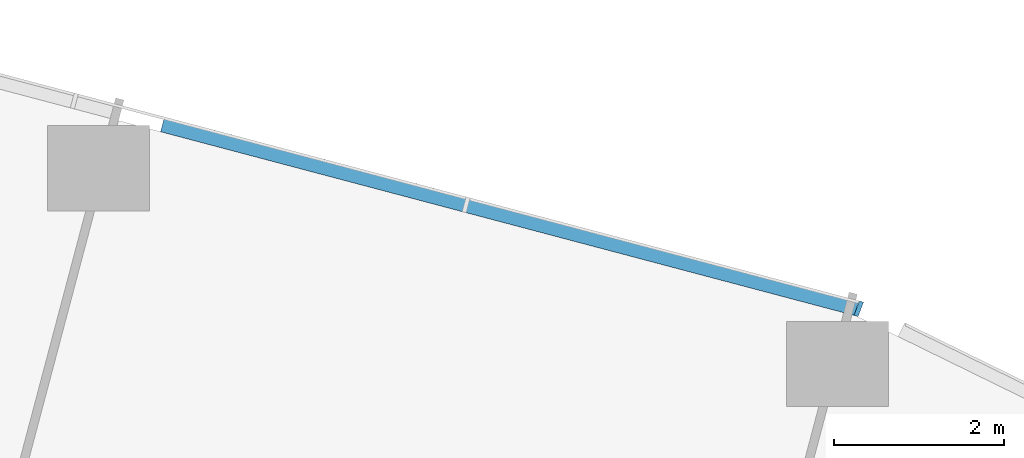
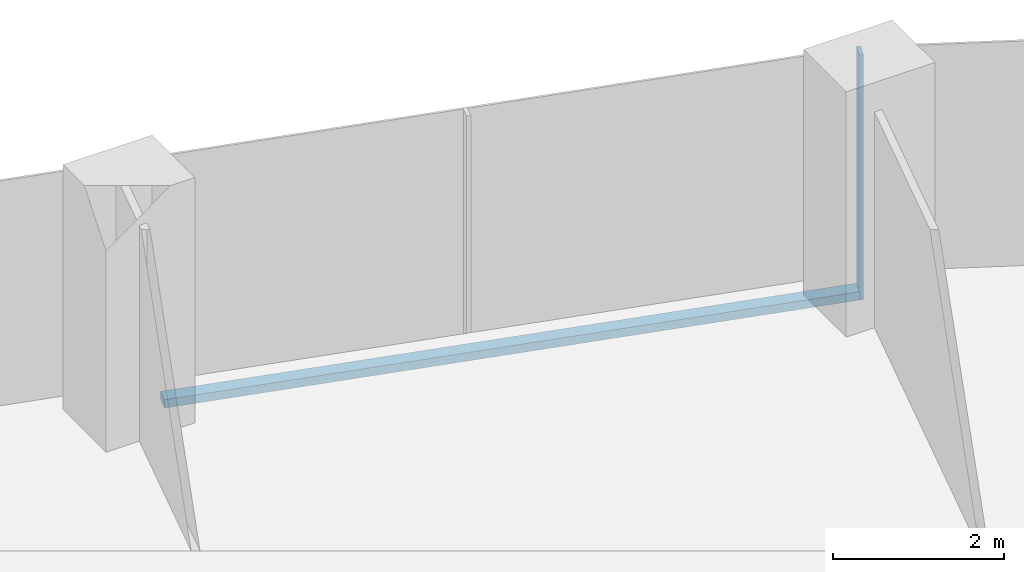
# One storey, part 15 of 34: 2 members, 2 elements without a shape of their own.
"""IFC4 building model written with IfcOpenShell, lengths in metres."""

from ifc_helpers import new_model, si_unit, direction, frame, origin, origin_2d, place, context, subcontext, project, spatial, rectangle, extrude, material, material_profile, profile_set, type_object, element, aggregate, save


model = new_model("IFC4")

# Units and contexts
model_context = context("Model", 3, precision=1e-05, world=origin(), true_north=direction((0.0, 1.0)))
body_context = subcontext(model_context, "Body", "Model", "MODEL_VIEW")
ifc_project = project(units=[si_unit("LENGTHUNIT", "METRE"), si_unit("AREAUNIT", "SQUARE_METRE"), si_unit("VOLUMEUNIT", "CUBIC_METRE"), si_unit("PLANEANGLEUNIT", "RADIAN"), si_unit("MASSUNIT", "GRAM", prefix="KILO")], contexts=[model_context])

# Site, building, storey
site_placement = place(None, origin())
site = spatial("IfcSite", under=ifc_project, at=site_placement, CompositionType="ELEMENT")
building_placement = place(site_placement, origin())
building = spatial("IfcBuilding", under=site, at=building_placement, Name="Orlundy Tower", CompositionType="ELEMENT")
storey_placement = place(building_placement, frame((0.0, 0.0, 109.199951171875)))
storey = spatial("IfcBuildingStorey", under=building, at=storey_placement, Name="L27", CompositionType="ELEMENT", Elevation=109.199951171875)

# Curtain wall, member
ifc_material_1 = material(Name="Aluminium bronze anodised", Category="aluminium")
curtain_wall_type = type_object("IfcCurtainWallType", Name="CW1 wall", PredefinedType="NOTDEFINED", material=ifc_material_1)
curtain_wall_1_placement = place(storey_placement, origin())
curtain_wall_1 = element("IfcCurtainWall", 1, at=curtain_wall_1_placement, inside=storey, type_object=curtain_wall_type, Name="CW1 run 019", PredefinedType="NOTDEFINED")
ifc_material_2 = material(Name="Aluminium bronze anodised", Category="aluminium")
ifc_material_profile_1 = material_profile(ifc_material_2, rectangle(XDim=0.179931640625, YDim=0.050048828125, at=origin_2d()), Name="CW1 mullion 50x180")
ifc_profile_set_1 = profile_set([ifc_material_profile_1], Name="Aluminium bronze anodised")
member_type_1 = type_object("IfcMemberType", Name="CW1 mullion 50x180", PredefinedType="MULLION", material=ifc_profile_set_1)
member_1_placement = place(storey_placement, frame((54.45263671875, 6.36181640625, -0.39990234375), z_axis=(0.0, 0.0, 1.0), x_axis=(0.349570337809, 0.936910123184, 0.0)))
member_1 = element("IfcMember", 2, at=member_1_placement, type_object=member_type_1, Name="CW1 mullion 57", PredefinedType="MULLION", context=body_context, shape_type="SweptSolid", body=[
    extrude(rectangle(XDim=0.179931640625, YDim=0.050048828125, at=origin_2d()), origin(), (0.0, 0.0, 1.0), 3.5),
])
aggregate(curtain_wall_1, [member_1])

curtain_wall_2_placement = place(storey_placement, origin())
curtain_wall_2 = element("IfcCurtainWall", 3, at=curtain_wall_2_placement, inside=storey, type_object=curtain_wall_type, Name="CW1 run 018", PredefinedType="NOTDEFINED")
ifc_material_3 = material(Name="Aluminium bronze anodised", Category="aluminium")
ifc_material_profile_2 = material_profile(ifc_material_3, rectangle(XDim=0.179931640625, YDim=0.1201171875, at=origin_2d()), Name="CW1 transom 180x120")
ifc_profile_set_2 = profile_set([ifc_material_profile_2], Name="Aluminium bronze anodised")
member_type_2 = type_object("IfcMemberType", Name="CW1 transom 180x120", PredefinedType="USERDEFINED", material=ifc_profile_set_2)
member_2_placement = place(storey_placement, frame((46.284912109375, 8.52490234375, -0.33984375), z_axis=(0.96667127117, -0.256020806761, 0.0), x_axis=(0.256020806761, 0.96667127117, 0.0)))
member_2 = element("IfcMember", 4, at=member_2_placement, type_object=member_type_2, Name="CW1 transom", ObjectType="TRANSOM", PredefinedType="USERDEFINED", context=body_context, shape_type="SweptSolid", body=[
    extrude(rectangle(XDim=0.179931640625, YDim=0.1201171875, at=origin_2d()), origin(), (0.0, 0.0, 1.0), 8.424072265625),
])
aggregate(curtain_wall_2, [member_2])

save(model, "model.ifc")
